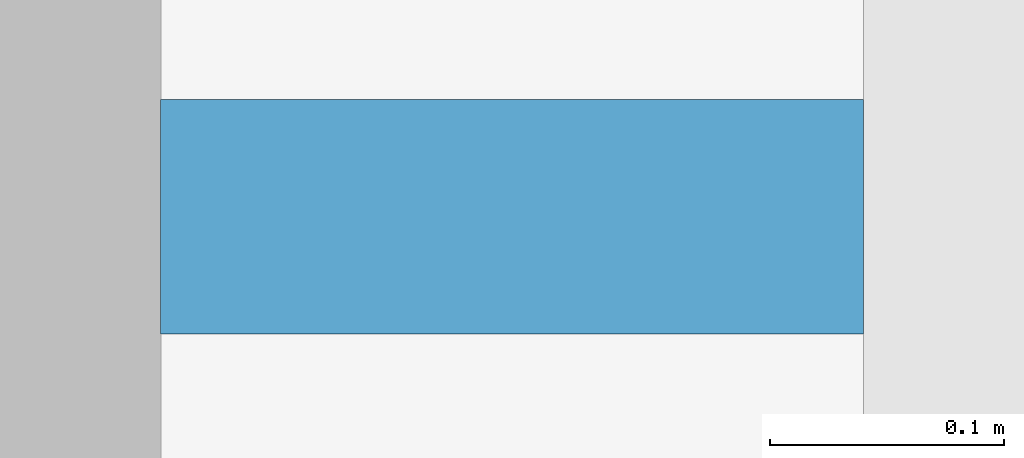
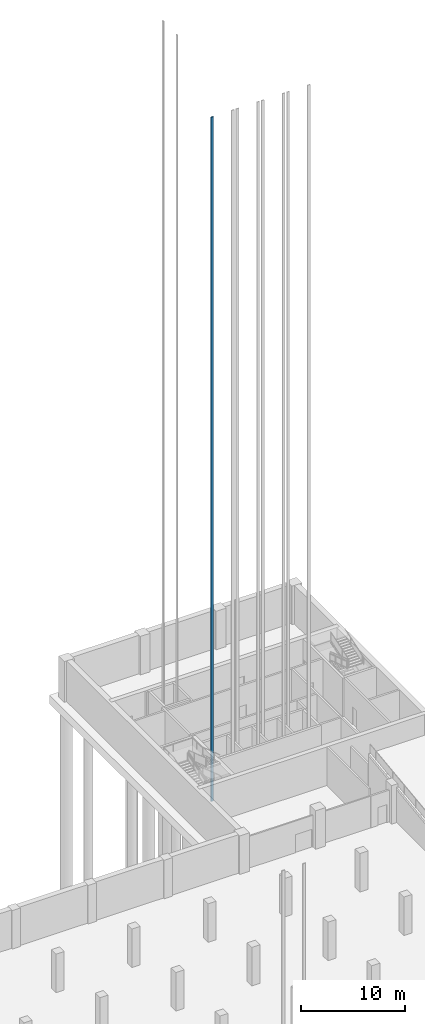
# One storey, part 12 of 26: 1 discrete accessory.
"""IFC4 building model written with IfcOpenShell, lengths in metres."""

from ifc_helpers import new_model, si_unit, direction, frame, origin, origin_2d, place, context, subcontext, project, spatial, rectangle, extrude, material, type_object, element, save


model = new_model("IFC4")

# Units and contexts
model_context = context("Model", 3, precision=1e-05, world=origin(), true_north=direction((0.0, 1.0)))
body_context = subcontext(model_context, "Body", "Model", "MODEL_VIEW")
ifc_project = project(units=[si_unit("LENGTHUNIT", "METRE"), si_unit("AREAUNIT", "SQUARE_METRE"), si_unit("VOLUMEUNIT", "CUBIC_METRE"), si_unit("PLANEANGLEUNIT", "RADIAN"), si_unit("MASSUNIT", "GRAM", prefix="KILO")], contexts=[model_context])

# Site, building, storey
site_placement = place(None, origin())
site = spatial("IfcSite", under=ifc_project, at=site_placement, CompositionType="ELEMENT")
building_placement = place(site_placement, origin())
building = spatial("IfcBuilding", under=site, at=building_placement, Name="Rulbaag Community and Learning Centre", CompositionType="ELEMENT")
storey_placement = place(building_placement, frame((0.0, 0.0, -9.60009765625)))
storey = spatial("IfcBuildingStorey", under=building, at=storey_placement, Name="B2", CompositionType="ELEMENT", Elevation=-9.60009765625)

# Discrete accessory
ifc_material = material(Name="Steel E350", Category="steel")
discrete_accessory_type = type_object("IfcDiscreteAccessoryType", Name="LR-GUIDE RAIL 300 x 100", PredefinedType="BRACKET", material=ifc_material)
discrete_accessory_placement = place(storey_placement, frame((147.14990234375, 97.25, -1.5), z_axis=(0.0, 0.0, 1.0), x_axis=(1.0, 0.0, 0.0)))
element("IfcDiscreteAccessory", 1, at=discrete_accessory_placement, inside=storey, type_object=discrete_accessory_type, Name="Guide rail LP1 W", PredefinedType="BRACKET", context=body_context, shape_type="SweptSolid", body=[
    extrude(rectangle(XDim=0.300048828125, YDim=0.10009765625, at=origin_2d()), origin(), (0.0, 0.0, 1.0), 80.0),
])

save(model, "model.ifc")
